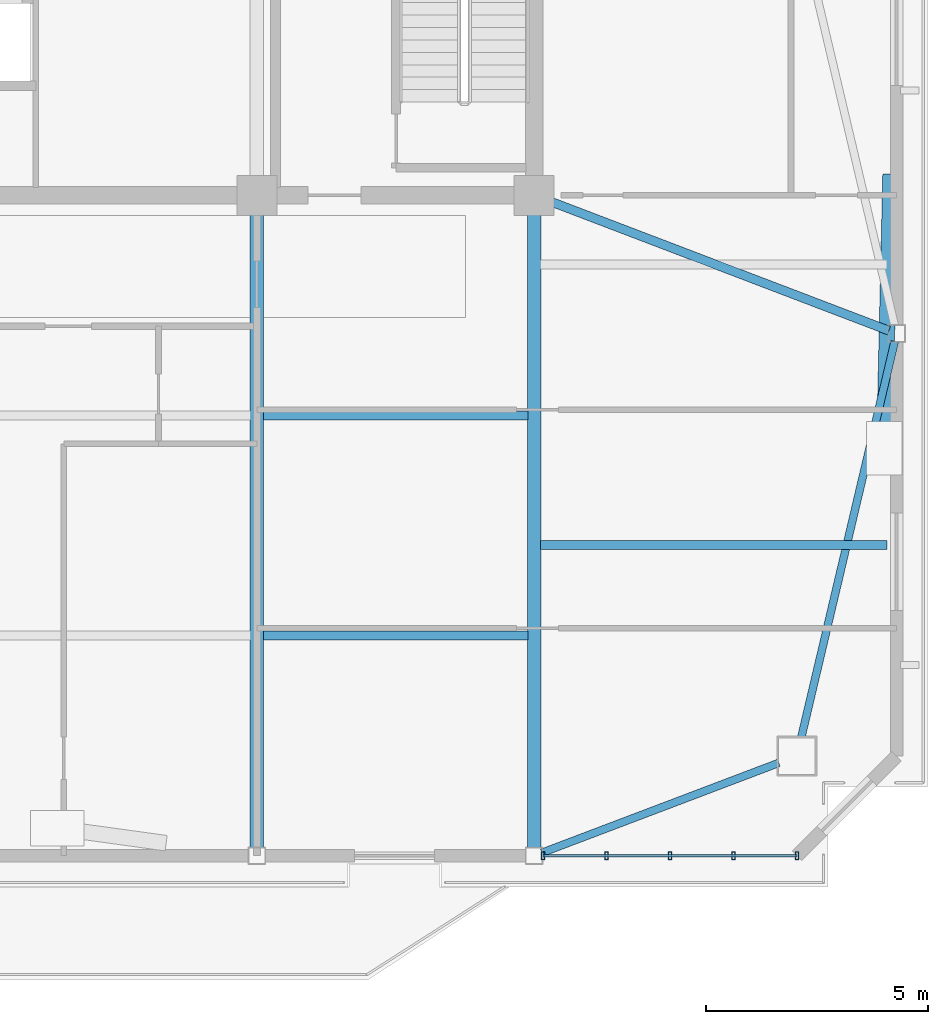
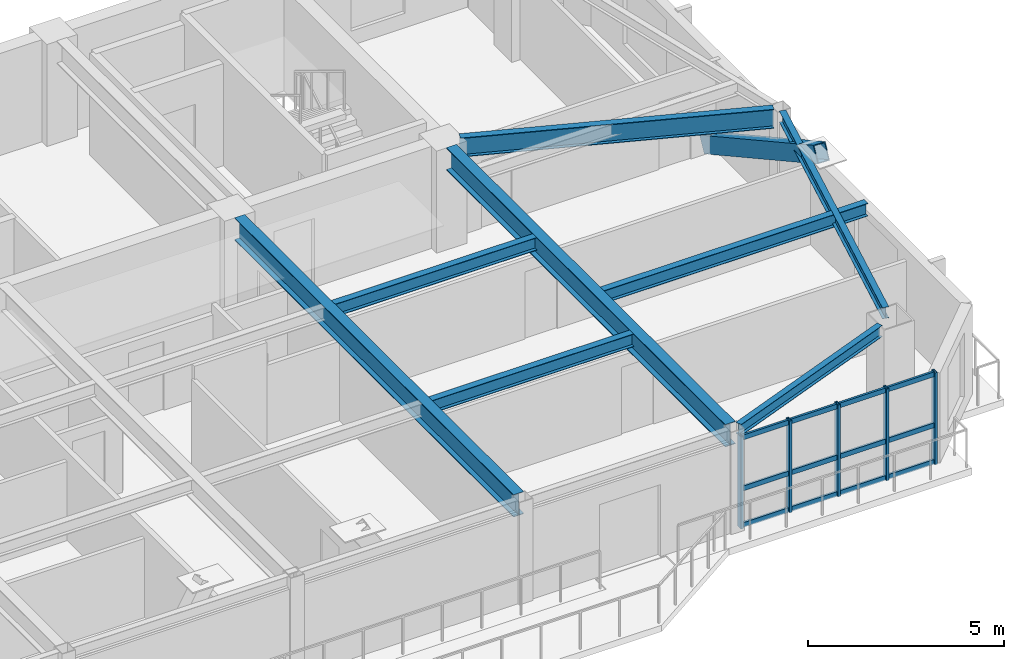
# One storey, part 4 of 12: 9 members, 8 beams, 1 element without a shape of its own.
"""IFC4 building model written with IfcOpenShell, lengths in metres."""

from ifc_helpers import new_model, si_unit, direction, frame, origin, origin_2d, place, context, subcontext, project, spatial, hollow_rectangle, i_section, extrude, source, transform, mapped, material, layer, layer_set, material_profile, profile_set, type_object, element, aggregate, save


model = new_model("IFC4")

# Units and contexts
model_context = context("Model", 3, precision=1e-05, world=origin(), true_north=direction((0.0, 1.0)))
body_context = subcontext(model_context, "Body", "Model", "MODEL_VIEW")
ifc_project = project(units=[si_unit("LENGTHUNIT", "METRE"), si_unit("AREAUNIT", "SQUARE_METRE"), si_unit("VOLUMEUNIT", "CUBIC_METRE"), si_unit("PLANEANGLEUNIT", "RADIAN"), si_unit("MASSUNIT", "GRAM", prefix="KILO")], contexts=[model_context])

# Site, building, storey
site_placement = place(None, origin())
site = spatial("IfcSite", under=ifc_project, at=site_placement, CompositionType="ELEMENT")
building_placement = place(site_placement, origin())
building = spatial("IfcBuilding", under=site, at=building_placement, Name="Giltprow Tower", CompositionType="ELEMENT")
storey_placement = place(building_placement, frame((0.0, 0.0, 339.10009765625)))
storey = spatial("IfcBuildingStorey", under=building, at=storey_placement, Name="L88", CompositionType="ELEMENT", Elevation=339.10009765625)

# Beams
ifc_material_1 = material(Name="Structural steel Q355B", Category="steel")
ifc_material_profile_1 = material_profile(ifc_material_1, i_section(OverallWidth=0.199951171875, OverallDepth=0.39990234375, WebThickness=0.008056640625, FlangeThickness=0.012939453125, at=origin_2d()), Name="HN 400x200x8x13")
ifc_profile_set_1 = profile_set([ifc_material_profile_1], Name="Structural steel Q355B")
beam_type_1 = type_object("IfcBeamType", Name="BM-JOIST-HN400", PredefinedType="JOIST", material=ifc_profile_set_1)
shared_shape_1 = source(origin(), body_context, "Body", "SweptSolid", [
    extrude(i_section(OverallWidth=0.199951171875, OverallDepth=0.39990234375, WebThickness=0.008056640625, FlangeThickness=0.012939453125, at=origin_2d()), origin(), (0.0, 0.0, 1.0), 5.9599609375),
])
for number, where, z_axis, x_axis, name in (
    (1, (44.445068359375, 27.529052734375, 2.98486328125), (1.0, 0.0, 0.0), (0.0, 1.0, 0.0), "L88 Composite Floor Joist 1-4"),
    (2, (44.445068359375, 32.489013671875, 2.98486328125), (1.0, 0.0, 0.0), (0.0, 1.0, 0.0), "L88 Composite Floor Joist 2-4"),
):
    element("IfcBeam", number, at=place(storey_placement, frame(where, z_axis=z_axis, x_axis=x_axis)), inside=storey, type_object=beam_type_1, Name=name, PredefinedType="JOIST", context=body_context, shape_type="MappedRepresentation", body=[
        mapped(shared_shape_1, transform((0.0, 0.0, 0.0), x_axis=(1.0, 0.0, 0.0), y_axis=(0.0, 1.0, 0.0), z_axis=(0.0, 0.0, 1.0), scale=1.0)),
    ])
ifc_material_profile_2 = material_profile(ifc_material_1, i_section(OverallWidth=0.175048828125, OverallDepth=0.35009765625, WebThickness=0.007080078125, FlangeThickness=0.010986328125, at=origin_2d()), Name="HN 350x175x7x11")
ifc_profile_set_2 = profile_set([ifc_material_profile_2], Name="Structural steel Q355B")
beam_type_2 = type_object("IfcBeamType", Name="BM-SPAN-HN350", PredefinedType="SPANDREL", material=ifc_profile_set_2)
shared_shape_2 = source(origin(), body_context, "Body", "SweptSolid", [
    extrude(i_section(OverallWidth=0.175048828125, OverallDepth=0.35009765625, WebThickness=0.007080078125, FlangeThickness=0.010986328125, at=origin_2d()), origin(), (0.0, 0.0, 1.0), 5.71044921875),
])
beam_1_placement = place(storey_placement, frame((50.722900390625, 22.634033203125, 3.010009765625), z_axis=(0.934956945211, 0.354761202221, 0.0), x_axis=(-0.354761202221, 0.934956945211, 0.0)))
element("IfcBeam", 3, at=beam_1_placement, inside=storey, type_object=beam_type_2, Name="L88 Perimeter Spandrel Beam S4-MC_SE", PredefinedType="SPANDREL", context=body_context, shape_type="MappedRepresentation", body=[
    mapped(shared_shape_2, transform((0.0, 0.0, 0.0), x_axis=(1.0, 0.0, 0.0), y_axis=(0.0, 1.0, 0.0), z_axis=(0.0, 0.0, 1.0), scale=1.0)),
])
shared_shape_3 = source(origin(), body_context, "Body", "SweptSolid", [
    extrude(i_section(OverallWidth=0.175048828125, OverallDepth=0.35009765625, WebThickness=0.007080078125, FlangeThickness=0.010986328125, at=origin_2d()), origin(), (0.0, 0.0, 1.0), 9.161865234375),
])
beam_2_placement = place(storey_placement, frame((56.569091796875, 25.237060546875, 3.010009765625), z_axis=(0.22964825006, 0.973273692876, 0.0), x_axis=(-0.973273692876, 0.22964825006, 0.0)))
element("IfcBeam", 4, at=beam_2_placement, inside=storey, type_object=beam_type_2, Name="L88 Perimeter Spandrel Beam MC_SE-E_MID", PredefinedType="SPANDREL", context=body_context, shape_type="MappedRepresentation", body=[
    mapped(shared_shape_3, transform((0.0, 0.0, 0.0), x_axis=(1.0, 0.0, 0.0), y_axis=(0.0, 1.0, 0.0), z_axis=(0.0, 0.0, 1.0), scale=1.0)),
])
ifc_material_profile_3 = material_profile(ifc_material_1, i_section(OverallWidth=0.300048828125, OverallDepth=0.699951171875, WebThickness=0.012939453125, FlangeThickness=0.02392578125, at=origin_2d()), Name="HN 700x300x13x24")
ifc_profile_set_3 = profile_set([ifc_material_profile_3], Name="Structural steel Q355B")
beam_type_3 = type_object("IfcBeamType", Name="BM-GIRD-HN700", PredefinedType="BEAM", material=ifc_profile_set_3)
shared_shape_4 = source(origin(), body_context, "Body", "SweptSolid", [
    extrude(i_section(OverallWidth=0.300048828125, OverallDepth=0.699951171875, WebThickness=0.012939453125, FlangeThickness=0.02392578125, at=origin_2d()), origin(), (0.0, 0.0, 1.0), 14.261962890625),
])
for number, where, z_axis, x_axis, name in (
    (5, (44.300048828125, 22.7529296875, 2.8349609375), (0.0, 1.0, 0.0), (-1.0, 0.0, 0.0), "L88 Primary Lease Girder S3"),
    (6, (50.550048828125, 22.7529296875, 2.8349609375), (0.0, 1.0, 0.0), (-1.0, 0.0, 0.0), "L88 Primary Lease Girder S4"),
):
    element("IfcBeam", number, at=place(storey_placement, frame(where, z_axis=z_axis, x_axis=x_axis)), inside=storey, type_object=beam_type_3, Name=name, PredefinedType="BEAM", context=body_context, shape_type="MappedRepresentation", body=[
        mapped(shared_shape_4, transform((0.0, 0.0, 0.0), x_axis=(1.0, 0.0, 0.0), y_axis=(0.0, 1.0, 0.0), z_axis=(0.0, 0.0, 1.0), scale=1.0)),
    ])
ifc_material_profile_4 = material_profile(ifc_material_1, i_section(OverallWidth=0.199951171875, OverallDepth=0.60009765625, WebThickness=0.010986328125, FlangeThickness=0.01708984375, at=origin_2d()), Name="HN 600x200x11x17")
ifc_profile_set_4 = profile_set([ifc_material_profile_4], Name="Structural steel Q355B")
beam_type_4 = type_object("IfcBeamType", Name="BM-GIRD-HN600", PredefinedType="BEAM", material=ifc_profile_set_4)
shared_shape_5 = source(origin(), body_context, "Body", "SweptSolid", [
    extrude(i_section(OverallWidth=0.199951171875, OverallDepth=0.60009765625, WebThickness=0.010986328125, FlangeThickness=0.01708984375, at=origin_2d()), origin(), (0.0, 0.0, 1.0), 8.11962890625),
])
beam_3_placement = place(storey_placement, frame((58.5419921875, 34.39990234375, 2.885009765625), z_axis=(-0.934277035034, 0.356547923579, 0.0), x_axis=(-0.356547923579, -0.934277035034, 0.0)))
element("IfcBeam", 7, at=beam_3_placement, inside=storey, type_object=beam_type_4, Name="L88 East Wing Primary Girder", PredefinedType="BEAM", context=body_context, shape_type="MappedRepresentation", body=[
    mapped(shared_shape_5, transform((0.0, 0.0, 0.0), x_axis=(1.0, 0.0, 0.0), y_axis=(0.0, 1.0, 0.0), z_axis=(0.0, 0.0, 1.0), scale=1.0)),
])
shared_shape_6 = source(origin(), body_context, "Body", "SweptSolid", [
    extrude(i_section(OverallWidth=0.199951171875, OverallDepth=0.39990234375, WebThickness=0.008056640625, FlangeThickness=0.012939453125, at=origin_2d()), origin(), (0.0, 0.0, 1.0), 7.800048828125),
])
beam_4_placement = place(storey_placement, frame((50.695068359375, 29.573974609375, 2.98486328125), z_axis=(1.0, 0.0, 0.0), x_axis=(0.0, 1.0, 0.0)))
element("IfcBeam", 8, at=beam_4_placement, inside=storey, type_object=beam_type_1, Name="L88 East Wing Floor Joist 1", PredefinedType="JOIST", context=body_context, shape_type="MappedRepresentation", body=[
    mapped(shared_shape_6, transform((0.0, 0.0, 0.0), x_axis=(1.0, 0.0, 0.0), y_axis=(0.0, 1.0, 0.0), z_axis=(0.0, 0.0, 1.0), scale=1.0)),
])

# Member
ifc_material_2 = material(Name="Structural steel Q420GJC", Category="steel")
ifc_material_profile_5 = material_profile(ifc_material_2, hollow_rectangle(XDim=0.35009765625, YDim=0.5, WallThickness=0.02392578125, at=origin_2d()), Name="RHS 500x350x24")
ifc_profile_set_5 = profile_set([ifc_material_profile_5], Name="Structural steel Q420GJC")
member_type_1 = type_object("IfcMemberType", Name="MBR-MEGA-RHS500", PredefinedType="BRACE", material=ifc_profile_set_5)
shared_shape_7 = source(origin(), body_context, "Body", "SweptSolid", [
    extrude(hollow_rectangle(XDim=0.35009765625, YDim=0.5, WallThickness=0.02392578125, at=origin_2d()), origin(), (0.0, 0.0, 1.0), 6.943115234375),
])
member_1_placement = place(storey_placement, frame((58.576904296875, 37.802978515625, 0.0), z_axis=(-0.020008044634, -0.871668573675, 0.489687222437), x_axis=(0.999736667204, -0.022947685007, 0.0)))
element("IfcMember", 9, at=member_1_placement, inside=storey, type_object=member_type_1, Name="L88 Chevron Mega-Brace E-D", PredefinedType="BRACE", context=body_context, shape_type="MappedRepresentation", body=[
    mapped(shared_shape_7, transform((0.0, 0.0, 0.0), x_axis=(1.0, 0.0, 0.0), y_axis=(0.0, 1.0, 0.0), z_axis=(0.0, 0.0, 1.0), scale=1.0)),
])

# Curtain wall, members
ifc_material_3 = material(Name="Anodized bronze", Category="metal")
ifc_layer = layer(ifc_material_3, 0.179931640625, Name="Anodized bronze")
ifc_layer_set = layer_set([ifc_layer], Name="Anodized bronze")
curtain_wall_type = type_object("IfcCurtainWallType", Name="CW-RES-SKY", PredefinedType="NOTDEFINED", material=ifc_layer_set)
curtain_wall_placement = place(storey_placement, origin())
curtain_wall = element("IfcCurtainWall", 10, at=curtain_wall_placement, inside=storey, type_object=curtain_wall_type, Name="L88 South Recessed Curtain Wall 6", PredefinedType="NOTDEFINED")
ifc_material_profile_6 = material_profile(ifc_material_3, hollow_rectangle(XDim=0.074951171875, YDim=0.179931640625, WallThickness=0.008056640625, at=origin_2d()), Name="RHS 180x75x8")
ifc_profile_set_6 = profile_set([ifc_material_profile_6], Name="Anodized bronze")
member_type_2 = type_object("IfcMemberType", Name="CW-MULLION-180x75", PredefinedType="MULLION", material=ifc_profile_set_6)
shared_shape_8 = source(origin(), body_context, "Body", "SweptSolid", [
    extrude(hollow_rectangle(XDim=0.074951171875, YDim=0.179931640625, WallThickness=0.008056640625, at=origin_2d()), origin(), (0.0, 0.0, 1.0), 2.869873046875),
])
member_2_placement = place(storey_placement, frame((50.75, 22.568115234375, -0.02001953125), z_axis=(0.0, 0.0, 1.0), x_axis=(1.0, 0.0, 0.0)))
member_2 = element("IfcMember", 11, at=member_2_placement, type_object=member_type_2, Name="L88 South Recessed Curtain Wall 6 Mullion 1", PredefinedType="MULLION", context=body_context, shape_type="MappedRepresentation", body=[
    mapped(shared_shape_8, transform((0.0, 0.0, 0.0), x_axis=(1.0, 0.0, 0.0), y_axis=(0.0, 1.0, 0.0), z_axis=(0.0, 0.0, 1.0), scale=1.0)),
])
member_3_placement = place(storey_placement, frame((52.179931640625, 22.568115234375, -0.02001953125), z_axis=(0.0, 0.0, 1.0), x_axis=(1.0, 0.0, 0.0)))
member_3 = element("IfcMember", 12, at=member_3_placement, type_object=member_type_2, Name="L88 South Recessed Curtain Wall 6 Mullion 2", PredefinedType="MULLION", context=body_context, shape_type="MappedRepresentation", body=[
    mapped(shared_shape_8, transform((0.0, 0.0, 0.0), x_axis=(1.0, 0.0, 0.0), y_axis=(0.0, 1.0, 0.0), z_axis=(0.0, 0.0, 1.0), scale=1.0)),
])
member_4_placement = place(storey_placement, frame((53.60888671875, 22.568115234375, -0.02001953125), z_axis=(0.0, 0.0, 1.0), x_axis=(1.0, 0.0, 0.0)))
member_4 = element("IfcMember", 13, at=member_4_placement, type_object=member_type_2, Name="L88 South Recessed Curtain Wall 6 Mullion 3", PredefinedType="MULLION", context=body_context, shape_type="MappedRepresentation", body=[
    mapped(shared_shape_8, transform((0.0, 0.0, 0.0), x_axis=(1.0, 0.0, 0.0), y_axis=(0.0, 1.0, 0.0), z_axis=(0.0, 0.0, 1.0), scale=1.0)),
])
member_5_placement = place(storey_placement, frame((55.0390625, 22.568115234375, -0.02001953125), z_axis=(0.0, 0.0, 1.0), x_axis=(1.0, 0.0, 0.0)))
member_5 = element("IfcMember", 14, at=member_5_placement, type_object=member_type_2, Name="L88 South Recessed Curtain Wall 6 Mullion 4", PredefinedType="MULLION", context=body_context, shape_type="MappedRepresentation", body=[
    mapped(shared_shape_8, transform((0.0, 0.0, 0.0), x_axis=(1.0, 0.0, 0.0), y_axis=(0.0, 1.0, 0.0), z_axis=(0.0, 0.0, 1.0), scale=1.0)),
])
member_6_placement = place(storey_placement, frame((56.468994140625, 22.568115234375, -0.02001953125), z_axis=(0.0, 0.0, 1.0), x_axis=(1.0, 0.0, 0.0)))
member_6 = element("IfcMember", 15, at=member_6_placement, type_object=member_type_2, Name="L88 South Recessed Curtain Wall 6 Mullion 5", PredefinedType="MULLION", context=body_context, shape_type="MappedRepresentation", body=[
    mapped(shared_shape_8, transform((0.0, 0.0, 0.0), x_axis=(1.0, 0.0, 0.0), y_axis=(0.0, 1.0, 0.0), z_axis=(0.0, 0.0, 1.0), scale=1.0)),
])
ifc_material_profile_7 = material_profile(ifc_material_3, hollow_rectangle(XDim=0.06494140625, YDim=0.14990234375, WallThickness=0.006103515625, at=origin_2d()), Name="RHS 150x65x6")
ifc_profile_set_7 = profile_set([ifc_material_profile_7], Name="Anodized bronze")
member_type_3 = type_object("IfcMemberType", Name="CW-TRANSOM-150x65", PredefinedType="USERDEFINED", material=ifc_profile_set_7)
shared_shape_9 = source(origin(), body_context, "Body", "SweptSolid", [
    extrude(hollow_rectangle(XDim=0.06494140625, YDim=0.14990234375, WallThickness=0.006103515625, at=origin_2d()), origin(), (0.0, 0.0, 1.0), 5.718994140625),
])
member_7_placement = place(storey_placement, frame((50.75, 22.568115234375, 0.039794921875), z_axis=(1.0, 0.0, 0.0), x_axis=(0.0, 1.0, 0.0)))
member_7 = element("IfcMember", 16, at=member_7_placement, type_object=member_type_3, Name="L88 South Recessed Curtain Wall 6 Transom 1", ObjectType="TRANSOM", PredefinedType="USERDEFINED", context=body_context, shape_type="MappedRepresentation", body=[
    mapped(shared_shape_9, transform((0.0, 0.0, 0.0), x_axis=(1.0, 0.0, 0.0), y_axis=(0.0, 1.0, 0.0), z_axis=(0.0, 0.0, 1.0), scale=1.0)),
])
member_8_placement = place(storey_placement, frame((50.75, 22.568115234375, 1.181884765625), z_axis=(1.0, 0.0, 0.0), x_axis=(0.0, 1.0, 0.0)))
member_8 = element("IfcMember", 17, at=member_8_placement, type_object=member_type_3, Name="L88 South Recessed Curtain Wall 6 Transom 2", ObjectType="TRANSOM", PredefinedType="USERDEFINED", context=body_context, shape_type="MappedRepresentation", body=[
    mapped(shared_shape_9, transform((0.0, 0.0, 0.0), x_axis=(1.0, 0.0, 0.0), y_axis=(0.0, 1.0, 0.0), z_axis=(0.0, 0.0, 1.0), scale=1.0)),
])
member_9_placement = place(storey_placement, frame((50.75, 22.568115234375, 2.77490234375), z_axis=(1.0, 0.0, 0.0), x_axis=(0.0, 1.0, 0.0)))
member_9 = element("IfcMember", 18, at=member_9_placement, type_object=member_type_3, Name="L88 South Recessed Curtain Wall 6 Transom 3", ObjectType="TRANSOM", PredefinedType="USERDEFINED", context=body_context, shape_type="MappedRepresentation", body=[
    mapped(shared_shape_9, transform((0.0, 0.0, 0.0), x_axis=(1.0, 0.0, 0.0), y_axis=(0.0, 1.0, 0.0), z_axis=(0.0, 0.0, 1.0), scale=1.0)),
])
aggregate(curtain_wall, [member_2, member_3, member_4, member_5, member_6, member_7, member_8, member_9])

save(model, "model.ifc")
